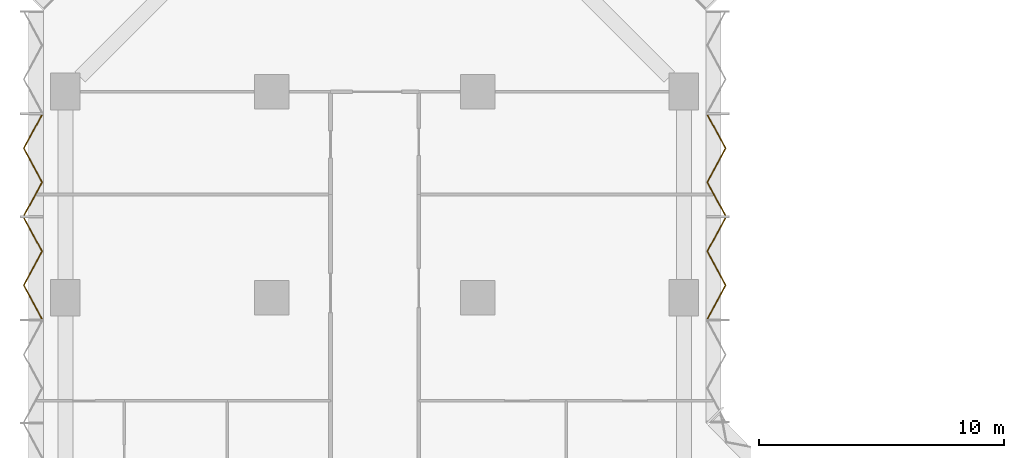
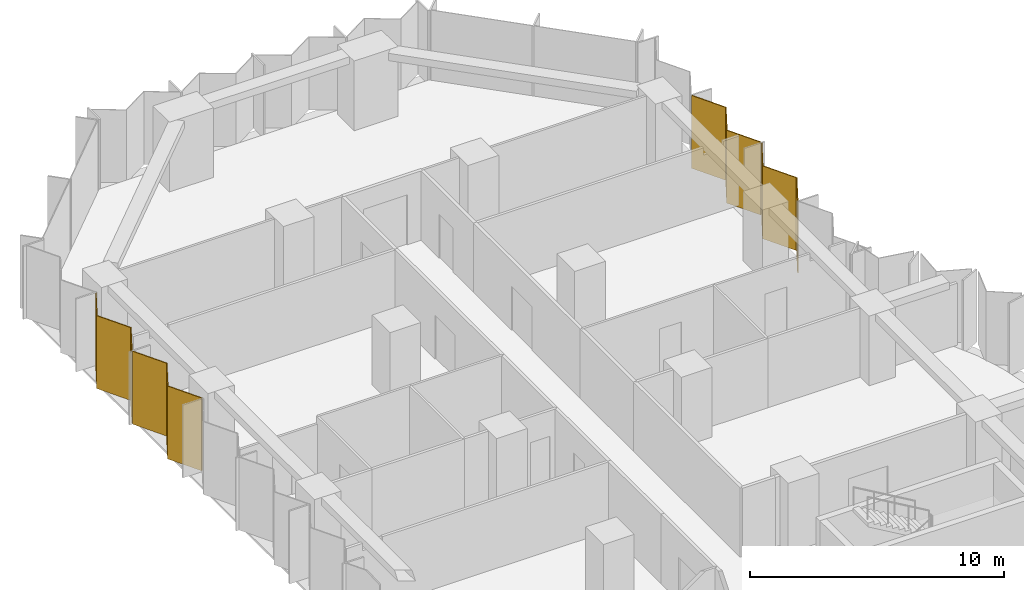
# One storey, part 15 of 15: 4 coverings, 2 elements without a shape of their own.
"""IFC4 building model written with IfcOpenShell, lengths in metres."""

import ifcopenshell
import ifcopenshell.guid

model = None  # the IFC model being written
_history = None  # IfcOwnerHistory: only IFC2X3 demands one
_inside = {}  # id of a spatial element -> (the spatial element, [elements in it])
_under = {}  # id of a project, library or spatial element -> (it, [spatial elements below it])
_declared = {}  # id of a project -> (the project, [libraries it declares])
_typed = {}  # id of a type object -> (the type object, [elements of that type])
_made_of = {}  # id of a material, layer set ... -> (it, [elements and type objects made of it])


def new_model(schema):
    """Start an empty IFC model of exactly this schema.

    Asked for "IFC4X3", IfcOpenShell would pick the latest addendum, in which some entities
    have other attributes; the version numbers below select the first issue.
    IFC2X3 requires an IfcOwnerHistory on every rooted entity: one is made here for all.
    """
    global model, _history
    if schema == "IFC4X3":
        model = ifcopenshell.file(schema_version=(4, 3, 0, 0))
    else:
        model = ifcopenshell.file(schema=schema)
    _inside.clear()
    _under.clear()
    _declared.clear()
    _typed.clear()
    _made_of.clear()
    _history = None
    if model.schema == "IFC2X3":
        org = make("IfcOrganization", Name="unknown")
        user = make(
            "IfcPersonAndOrganization",
            ThePerson=make("IfcPerson", FamilyName="unknown"),
            TheOrganization=org,
        )
        app = make(
            "IfcApplication",
            ApplicationDeveloper=org,
            Version="unknown",
            ApplicationFullName="unknown",
            ApplicationIdentifier="unknown",
        )
        _history = make(
            "IfcOwnerHistory",
            OwningUser=user,
            OwningApplication=app,
            ChangeAction="ADDED",
            CreationDate=0,
        )
    return model


def make(cls, **values):
    """One entity of the class cls with the attributes given. An attribute that is None is left unset."""
    return model.create_entity(
        cls, **{name: value for name, value in values.items() if value is not None}
    )


def rooted(cls, **values):
    """An entity with a GlobalId (a new one), such as an element, a storey or a relation."""
    return make(cls, GlobalId=ifcopenshell.guid.new(), OwnerHistory=_history, **values)


def si_unit(unit_type, name, prefix=None):
    """IfcSIUnit, for example si_unit("LENGTHUNIT", "METRE", prefix="MILLI")."""
    return make("IfcSIUnit", UnitType=unit_type, Prefix=prefix, Name=name)


def assignment(units):
    """IfcUnitAssignment: the units of a project."""
    return None if units is None else make("IfcUnitAssignment", Units=units)


def point(xyz):
    """IfcCartesianPoint."""
    return None if xyz is None else make("IfcCartesianPoint", Coordinates=xyz)


def direction(xyz):
    """IfcDirection."""
    return None if xyz is None else make("IfcDirection", DirectionRatios=xyz)


def frame(location, z_axis=None, x_axis=None):
    """IfcAxis2Placement3D, a coordinate frame: its origin and axes. An axis left out is left unset."""
    return make(
        "IfcAxis2Placement3D",
        Location=point(location),
        Axis=direction(z_axis),
        RefDirection=direction(x_axis),
    )


def origin():
    """The frame at (0, 0, 0) with its axes left unset."""
    return frame((0.0, 0.0, 0.0))


def place(relative_to, where):
    """IfcLocalPlacement: puts the frame where relative to a parent placement (None: the world)."""
    return make(
        "IfcLocalPlacement", PlacementRelTo=relative_to, RelativePlacement=where
    )


def context(
    kind, dimensions, precision=None, world=None, true_north=None, identifier=None
):
    """IfcGeometricRepresentationContext, for example the 3D "Model" context."""
    return make(
        "IfcGeometricRepresentationContext",
        ContextIdentifier=identifier,
        ContextType=kind,
        CoordinateSpaceDimension=dimensions,
        Precision=precision,
        WorldCoordinateSystem=world,
        TrueNorth=true_north,
    )


def subcontext(parent, identifier, kind, view, scale=None):
    """IfcGeometricRepresentationSubContext, for example "Body" below "Model"."""
    return make(
        "IfcGeometricRepresentationSubContext",
        ContextIdentifier=identifier,
        ContextType=kind,
        ParentContext=parent,
        TargetScale=scale,
        TargetView=view,
    )


def project(units=None, contexts=None):
    """IfcProject with its units and contexts."""
    return rooted(
        "IfcProject",
        Name="project",
        RepresentationContexts=contexts,
        UnitsInContext=assignment(units),
    )


def spatial(cls, under=None, at=None, **own):
    """A site, building, storey or space (cls), placed at a placement, below another one or the project."""
    s = rooted(cls, ObjectPlacement=at, **own)
    if under is not None:
        _under.setdefault(under.id(), (under, []))[1].append(s)
    return s


def polyline(points):
    """IfcPolyline through the points."""
    return make("IfcPolyline", Points=[point(p) for p in points])


def outline(outer, holes=None, kind="AREA"):
    """IfcArbitraryClosedProfileDef: a profile drawn as a closed curve; with holes, ...WithVoids."""
    if holes is None:
        return make("IfcArbitraryClosedProfileDef", ProfileType=kind, OuterCurve=outer)
    return make(
        "IfcArbitraryProfileDefWithVoids",
        ProfileType=kind,
        OuterCurve=outer,
        InnerCurves=holes,
    )


def extrude(swept, where, along, depth):
    """IfcExtrudedAreaSolid: the profile swept, set in the frame where, extruded along a direction by depth."""
    return make(
        "IfcExtrudedAreaSolid",
        SweptArea=swept,
        Position=where,
        ExtrudedDirection=direction(along),
        Depth=depth,
    )


def shape(context_of_items, identifier, shape_type, items):
    """IfcShapeRepresentation: the items that make up one representation, for example the "Body"."""
    return make(
        "IfcShapeRepresentation",
        ContextOfItems=context_of_items,
        RepresentationIdentifier=identifier,
        RepresentationType=shape_type,
        Items=items,
    )


def material(Name=None, Category=None):
    """IfcMaterial."""
    return make("IfcMaterial", Name=Name, Category=Category)


def layer(
    of_material, thickness, ventilated=None, Name=None, Category=None, Priority=None
):
    """IfcMaterialLayer: one layer of a wall or slab, of a material (None: an air gap)."""
    return make(
        "IfcMaterialLayer",
        Material=of_material,
        LayerThickness=thickness,
        IsVentilated=ventilated,
        Name=Name,
        Category=Category,
        Priority=Priority,
    )


def layer_set(layers, Name=None):
    """IfcMaterialLayerSet."""
    return make("IfcMaterialLayerSet", MaterialLayers=layers, LayerSetName=Name)


def made_of(thing, what):
    """Note that an element or type object is made of a material, layer set ...; save() writes the relation."""
    if what is not None:
        _made_of.setdefault(what.id(), (what, []))[1].append(thing)
    return thing


def type_object(cls, material=None, **own):
    """A type object (cls), such as IfcWallType, which elements share."""
    return made_of(rooted(cls, **own), material)


def element(
    cls,
    number,
    at=None,
    inside=None,
    cuts=None,
    type_object=None,
    material=None,
    context=None,
    identifier="Body",
    shape_type=None,
    held_by="IfcProductDefinitionShape",
    body=None,
    shapes=None,
    **own,
):
    """One element of the class cls, such as IfcWall. Its Tag is "e" and its number.

    at: its placement. inside: the storey or other place that contains it. cuts: it is an
    opening in that element (IfcRelVoidsElement). A single representation is given by context,
    identifier, shape_type and body (its items); several are given by shapes. held_by: the class
    of the entity that holds the representations. save() writes the other relations.
    """
    e = rooted(cls, Tag="e%d" % number, ObjectPlacement=at, **own)
    if body is not None:
        shapes = [shape(context, identifier, shape_type, body)]
    if shapes is not None:
        e.Representation = make(held_by, Representations=shapes)
    if inside is not None:
        _inside.setdefault(inside.id(), (inside, []))[1].append(e)
    if cuts is not None:
        rooted(
            "IfcRelVoidsElement", RelatingBuildingElement=cuts, RelatedOpeningElement=e
        )
    if type_object is not None:
        _typed.setdefault(type_object.id(), (type_object, []))[1].append(e)
    return made_of(e, material)


def aggregate(whole, parts):
    """IfcRelAggregates: a whole, such as a stair, and the parts it consists of."""
    return rooted("IfcRelAggregates", RelatingObject=whole, RelatedObjects=parts)


def save(model, path):
    """Write the relations noted so far, then the file.

    IfcRelAggregates (storeys below a building ...), IfcRelContainedInSpatialStructure (elements
    in a storey), IfcRelDefinesByType, IfcRelAssociatesMaterial and IfcRelDeclares: one each for
    every whole, place, type object, material and project.
    """
    for whole, parts in _under.values():
        aggregate(whole, parts)
    for where, things in _inside.values():
        rooted(
            "IfcRelContainedInSpatialStructure",
            RelatedElements=things,
            RelatingStructure=where,
        )
    for kind, things in _typed.values():
        rooted("IfcRelDefinesByType", RelatedObjects=things, RelatingType=kind)
    for what, things in _made_of.values():
        rooted("IfcRelAssociatesMaterial", RelatedObjects=things, RelatingMaterial=what)
    for by, libraries in _declared.values():
        rooted("IfcRelDeclares", RelatingContext=by, RelatedDefinitions=libraries)
    model.write(path)


model = new_model("IFC4")

# Units and contexts
model_context = context("Model", 3, precision=1e-05, world=origin(), true_north=direction((0.0, 1.0)))
body_context = subcontext(model_context, "Body", "Model", "MODEL_VIEW")
ifc_project = project(units=[si_unit("LENGTHUNIT", "METRE"), si_unit("AREAUNIT", "SQUARE_METRE"), si_unit("VOLUMEUNIT", "CUBIC_METRE"), si_unit("PLANEANGLEUNIT", "RADIAN"), si_unit("MASSUNIT", "GRAM", prefix="KILO")], contexts=[model_context])

# Site, building, storey
site_placement = place(None, origin())
site = spatial("IfcSite", under=ifc_project, at=site_placement, CompositionType="ELEMENT")
building_placement = place(site_placement, origin())
building = spatial("IfcBuilding", under=site, at=building_placement, Name="Brevane Broadcast Tower", CompositionType="ELEMENT")
storey_placement = place(building_placement, frame((0.0, 0.0, 43.699951171875)))
storey = spatial("IfcBuildingStorey", under=building, at=storey_placement, Name="L08", CompositionType="ELEMENT", Elevation=43.699951171875)

# Curtain wall, coverings
ifc_material_1 = material(Name="Aluminium 6063-T6 bronze anodised", Category="aluminium")
curtain_wall_type = type_object("IfcCurtainWallType", Name="CW-1 curtain wall", PredefinedType="NOTDEFINED", material=ifc_material_1)
curtain_wall_1_placement = place(storey_placement, origin())
curtain_wall_1 = element("IfcCurtainWall", 1, at=curtain_wall_1_placement, inside=storey, type_object=curtain_wall_type, Name="CW-1 typical tilted unit L08 north arm east face", PredefinedType="NOTDEFINED")
ifc_material_2 = material(Name="Back-painted bronze glass shadow-box", Category="glass")
ifc_layer = layer(ifc_material_2, 0.0400390625)
ifc_layer_set = layer_set([ifc_layer], Name="Shadow-box panel 40")
covering_type = type_object("IfcCoveringType", Name="Shadow-box panel 40", PredefinedType="CLADDING", material=ifc_layer_set)
covering_1_placement = place(storey_placement, frame((0.0, 0.0, -0.14990234375)))
covering_1 = element("IfcCovering", 2, at=covering_1_placement, type_object=covering_type, Name="Shadow-box panel", PredefinedType="CLADDING", context=body_context, shape_type="SweptSolid", body=[
    extrude(outline(polyline([(26.127197265625, 49.534912109375), (26.172607421875, 49.534912109375), (26.9169921875, 50.91162109375), (26.172607421875, 52.288330078125), (26.9169921875, 53.6650390625), (26.87158203125, 53.6650390625), (26.127197265625, 52.288330078125), (26.87158203125, 50.91162109375), (26.127197265625, 49.534912109375)])), origin(), (0.0, 0.0, 1.0), 3.5),
])
covering_2_placement = place(storey_placement, frame((0.0, 0.0, -0.14990234375)))
covering_2 = element("IfcCovering", 3, at=covering_2_placement, type_object=covering_type, Name="Shadow-box panel", PredefinedType="CLADDING", context=body_context, shape_type="SweptSolid", body=[
    extrude(outline(polyline([(26.87158203125, 53.735107421875), (26.9169921875, 53.735107421875), (26.172607421875, 55.11181640625), (26.9169921875, 56.48828125), (26.172607421875, 57.864990234375), (26.127197265625, 57.864990234375), (26.87158203125, 56.48828125), (26.127197265625, 55.11181640625), (26.87158203125, 53.735107421875)])), origin(), (0.0, 0.0, 1.0), 3.5),
])
aggregate(curtain_wall_1, [covering_1, covering_2])

curtain_wall_2_placement = place(storey_placement, origin())
curtain_wall_2 = element("IfcCurtainWall", 4, at=curtain_wall_2_placement, inside=storey, type_object=curtain_wall_type, Name="CW-1 typical tilted unit L08 west face", PredefinedType="NOTDEFINED")
covering_3_placement = place(storey_placement, frame((0.0, 0.0, -0.14990234375)))
covering_3 = element("IfcCovering", 5, at=covering_3_placement, type_object=covering_type, Name="Shadow-box panel", PredefinedType="CLADDING", context=body_context, shape_type="SweptSolid", body=[
    extrude(outline(polyline([(-0.92724609375, 57.864990234375), (-0.97265625, 57.864990234375), (-1.717041015625, 56.48828125), (-0.97265625, 55.11181640625), (-1.717041015625, 53.735107421875), (-1.671630859375, 53.735107421875), (-0.92724609375, 55.11181640625), (-1.671630859375, 56.48828125), (-0.92724609375, 57.864990234375)])), origin(), (0.0, 0.0, 1.0), 3.5),
])
covering_4_placement = place(storey_placement, frame((0.0, 0.0, -0.14990234375)))
covering_4 = element("IfcCovering", 6, at=covering_4_placement, type_object=covering_type, Name="Shadow-box panel", PredefinedType="CLADDING", context=body_context, shape_type="SweptSolid", body=[
    extrude(outline(polyline([(-1.671630859375, 53.6650390625), (-1.717041015625, 53.6650390625), (-0.97265625, 52.288330078125), (-1.717041015625, 50.91162109375), (-0.97265625, 49.534912109375), (-0.92724609375, 49.534912109375), (-1.671630859375, 50.91162109375), (-0.92724609375, 52.288330078125), (-1.671630859375, 53.6650390625)])), origin(), (0.0, 0.0, 1.0), 3.5),
])
aggregate(curtain_wall_2, [covering_3, covering_4])

save(model, "model.ifc")
